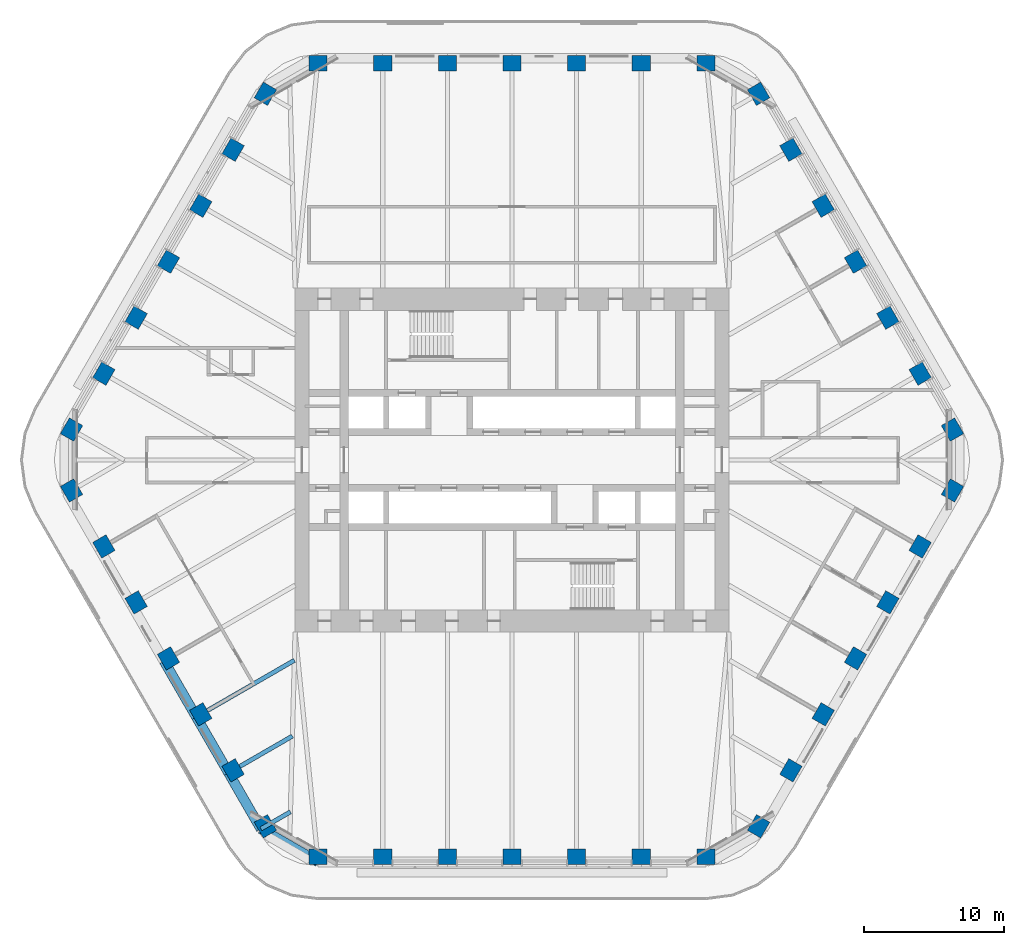
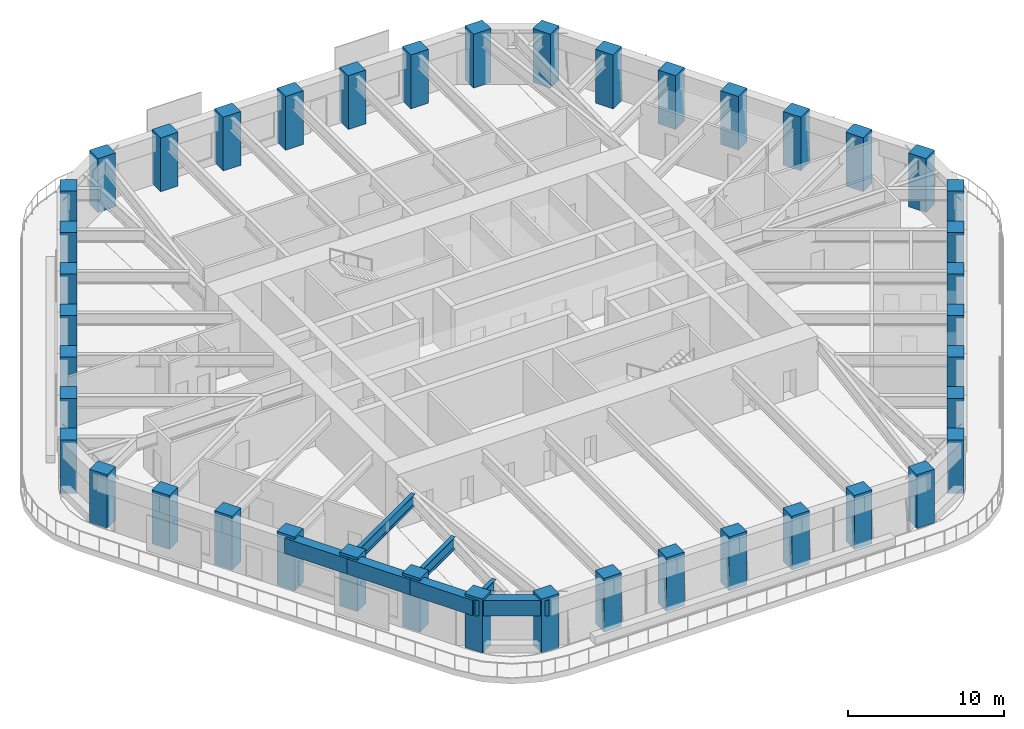
# One storey, part 1 of 20: 42 columns, 7 beams.
"""IFC4 building model written with IfcOpenShell, lengths in metres."""

from ifc_helpers import new_model, si_unit, direction, frame, origin, origin_2d, place, context, subcontext, project, spatial, rectangle, i_section, extrude, material, material_profile, profile_set, type_object, element, save


model = new_model("IFC4")

# Units and contexts
model_context = context("Model", 3, precision=1e-05, world=origin(), true_north=direction((0.0, 1.0)))
body_context = subcontext(model_context, "Body", "Model", "MODEL_VIEW")
ifc_project = project(units=[si_unit("LENGTHUNIT", "METRE"), si_unit("AREAUNIT", "SQUARE_METRE"), si_unit("VOLUMEUNIT", "CUBIC_METRE"), si_unit("PLANEANGLEUNIT", "RADIAN"), si_unit("MASSUNIT", "GRAM", prefix="KILO")], contexts=[model_context])

# Site, building, storey
site_placement = place(None, origin())
site = spatial("IfcSite", under=ifc_project, at=site_placement, CompositionType="ELEMENT")
building_placement = place(site_placement, origin())
building = spatial("IfcBuilding", under=site, at=building_placement, Name="Tarfa Lantern Tower", CompositionType="ELEMENT")
storey_placement = place(building_placement, frame((0.0, 0.0, 244.89990234375)))
storey = spatial("IfcBuildingStorey", under=building, at=storey_placement, Name="L55", CompositionType="ELEMENT", Elevation=244.89990234375)

# Columns
ifc_material_1 = material(Name="Concrete C80/95", Category="concrete")
ifc_material_profile_1 = material_profile(ifc_material_1, rectangle(XDim=1.300048828125, YDim=1.10009765625, at=origin_2d()), Name="RC 1300x1100")
ifc_profile_set_1 = profile_set([ifc_material_profile_1], Name="Concrete C80/95")
column_type = type_object("IfcColumnType", Name="TC10 RC 1300x1100", PredefinedType="COLUMN", material=ifc_profile_set_1)
for number, where, z_axis, x_axis, name in (
    (1, (31.47998046875, 2.175048828125, 0.0), (0.0, 0.0, 1.0), (-0.5, 0.866025403784, 0.0), "Tube column NE0"),
    (2, (29.170654296875, 6.175048828125, 0.0), (0.0, 0.0, 1.0), (-0.5, 0.866025403784, 0.0), "Tube column NE1"),
    (3, (26.861328125, 10.175048828125, 0.0), (0.0, 0.0, 1.0), (-0.5, 0.866025403784, 0.0), "Tube column NE2"),
    (4, (24.5517578125, 14.175048828125, 0.0), (0.0, 0.0, 1.0), (-0.5, 0.866025403784, 0.0), "Tube column NE3"),
    (5, (22.242431640625, 18.175048828125, 0.0), (0.0, 0.0, 1.0), (-0.5, 0.866025403784, 0.0), "Tube column NE4"),
    (6, (19.93310546875, 22.175048828125, 0.0), (0.0, 0.0, 1.0), (-0.5, 0.866025403784, 0.0), "Tube column NE5"),
    (7, (17.62353515625, 26.175048828125, 0.0), (0.0, 0.0, 1.0), (-0.5, 0.866025403784, 0.0), "Tube column NE6"),
    (8, (13.8564453125, 28.35009765625, 0.0), (0.0, 0.0, 1.0), (-1.0, 0.0, 0.0), "Tube column N0"),
    (9, (9.237548828125, 28.35009765625, 0.0), (0.0, 0.0, 1.0), (-1.0, 0.0, 0.0), "Tube column N1"),
    (10, (4.618896484375, 28.35009765625, 0.0), (0.0, 0.0, 1.0), (-1.0, 0.0, 0.0), "Tube column N2"),
    (11, (0.0, 28.35009765625, 0.0), (0.0, 0.0, 1.0), (-1.0, 0.0, 0.0), "Tube column N3"),
    (12, (-4.618896484375, 28.35009765625, 0.0), (0.0, 0.0, 1.0), (-1.0, 0.0, 0.0), "Tube column N4"),
    (13, (-9.237548828125, 28.35009765625, 0.0), (0.0, 0.0, 1.0), (-1.0, 0.0, 0.0), "Tube column N5"),
    (14, (-13.8564453125, 28.35009765625, 0.0), (0.0, 0.0, 1.0), (-1.0, 0.0, 0.0), "Tube column N6"),
    (15, (-17.62353515625, 26.175048828125, 0.0), (0.0, 0.0, 1.0), (-0.5, -0.866025403784, 0.0), "Tube column NW0"),
    (16, (-19.93310546875, 22.175048828125, 0.0), (0.0, 0.0, 1.0), (-0.5, -0.866025403784, 0.0), "Tube column NW1"),
    (17, (-22.242431640625, 18.175048828125, 0.0), (0.0, 0.0, 1.0), (-0.5, -0.866025403784, 0.0), "Tube column NW2"),
    (18, (-24.5517578125, 14.175048828125, 0.0), (0.0, 0.0, 1.0), (-0.5, -0.866025403784, 0.0), "Tube column NW3"),
    (19, (-26.861328125, 10.175048828125, 0.0), (0.0, 0.0, 1.0), (-0.5, -0.866025403784, 0.0), "Tube column NW4"),
    (20, (-29.170654296875, 6.175048828125, 0.0), (0.0, 0.0, 1.0), (-0.5, -0.866025403784, 0.0), "Tube column NW5"),
    (21, (-31.47998046875, 2.175048828125, 0.0), (0.0, 0.0, 1.0), (-0.5, -0.866025403784, 0.0), "Tube column NW6"),
    (22, (-31.47998046875, -2.175048828125, 0.0), (0.0, 0.0, 1.0), (0.5, -0.866025403784, 0.0), "Tube column SW0"),
    (23, (-29.170654296875, -6.175048828125, 0.0), (0.0, 0.0, 1.0), (0.5, -0.866025403784, 0.0), "Tube column SW1"),
    (24, (-26.861328125, -10.175048828125, 0.0), (0.0, 0.0, 1.0), (0.5, -0.866025403784, 0.0), "Tube column SW2"),
    (25, (-24.5517578125, -14.175048828125, 0.0), (0.0, 0.0, 1.0), (0.5, -0.866025403784, 0.0), "Tube column SW3"),
    (26, (-22.242431640625, -18.175048828125, 0.0), (0.0, 0.0, 1.0), (0.5, -0.866025403784, 0.0), "Tube column SW4"),
    (27, (-19.93310546875, -22.175048828125, 0.0), (0.0, 0.0, 1.0), (0.5, -0.866025403784, 0.0), "Tube column SW5"),
    (28, (-17.62353515625, -26.175048828125, 0.0), (0.0, 0.0, 1.0), (0.5, -0.866025403784, 0.0), "Tube column SW6"),
    (29, (-13.8564453125, -28.35009765625, 0.0), (0.0, 0.0, 1.0), (1.0, 0.0, 0.0), "Tube column S0"),
    (30, (-9.237548828125, -28.35009765625, 0.0), (0.0, 0.0, 1.0), (1.0, 0.0, 0.0), "Tube column S1"),
    (31, (-4.618896484375, -28.35009765625, 0.0), (0.0, 0.0, 1.0), (1.0, 0.0, 0.0), "Tube column S2"),
    (32, (0.0, -28.35009765625, 0.0), (0.0, 0.0, 1.0), (1.0, 0.0, 0.0), "Tube column S3"),
    (33, (4.618896484375, -28.35009765625, 0.0), (0.0, 0.0, 1.0), (1.0, 0.0, 0.0), "Tube column S4"),
    (34, (9.237548828125, -28.35009765625, 0.0), (0.0, 0.0, 1.0), (1.0, 0.0, 0.0), "Tube column S5"),
    (35, (13.8564453125, -28.35009765625, 0.0), (0.0, 0.0, 1.0), (1.0, 0.0, 0.0), "Tube column S6"),
    (36, (17.62353515625, -26.175048828125, 0.0), (0.0, 0.0, 1.0), (0.5, 0.866025403784, 0.0), "Tube column SE0"),
    (37, (19.93310546875, -22.175048828125, 0.0), (0.0, 0.0, 1.0), (0.5, 0.866025403784, 0.0), "Tube column SE1"),
    (38, (22.242431640625, -18.175048828125, 0.0), (0.0, 0.0, 1.0), (0.5, 0.866025403784, 0.0), "Tube column SE2"),
    (39, (24.5517578125, -14.175048828125, 0.0), (0.0, 0.0, 1.0), (0.5, 0.866025403784, 0.0), "Tube column SE3"),
    (40, (26.861328125, -10.175048828125, 0.0), (0.0, 0.0, 1.0), (0.5, 0.866025403784, 0.0), "Tube column SE4"),
    (41, (29.170654296875, -6.175048828125, 0.0), (0.0, 0.0, 1.0), (0.5, 0.866025403784, 0.0), "Tube column SE5"),
    (42, (31.47998046875, -2.175048828125, 0.0), (0.0, 0.0, 1.0), (0.5, 0.866025403784, 0.0), "Tube column SE6"),
):
    element("IfcColumn", number, at=place(storey_placement, frame(where, z_axis=z_axis, x_axis=x_axis)), inside=storey, type_object=column_type, Name=name, PredefinedType="COLUMN", context=body_context, shape_type="SweptSolid", body=[
        extrude(rectangle(XDim=1.300048828125, YDim=1.10009765625, at=origin_2d()), origin(), (0.0, 0.0, 1.0), 4.2001953125),
    ])

# Beams
ifc_material_profile_2 = material_profile(ifc_material_1, rectangle(XDim=0.699951171875, YDim=1.199951171875, at=origin_2d()), Name="RC 700x1200")
ifc_profile_set_2 = profile_set([ifc_material_profile_2], Name="Concrete C80/95")
beam_type_1 = type_object("IfcBeamType", Name="EB3 RC 700x1200", PredefinedType="SPANDREL", material=ifc_profile_set_2)
beam_1_placement = place(storey_placement, frame((-24.872314453125, -14.360107421875, 3.400146484375), z_axis=(0.500027479704, -0.866009537788, 0.0), x_axis=(0.866009537788, 0.500027479704, 0.0)))
element("IfcBeam", 43, at=beam_1_placement, inside=storey, type_object=beam_type_1, Name="Edge beam SW3", PredefinedType="SPANDREL", context=body_context, shape_type="SweptSolid", body=[
    extrude(rectangle(XDim=0.699951171875, YDim=1.199951171875, at=origin_2d()), origin(), (0.0, 0.0, 1.0), 4.618896484375),
])
for number, where, z_axis, x_axis, name in (
    (44, (-22.562744140625, -18.360107421875, 3.400146484375), (0.499987836815, -0.866032426089, 0.0), (0.866032426089, 0.499987836815, 0.0), "Edge beam SW4"),
    (45, (-20.25341796875, -22.360107421875, 3.400146484375), (0.499987836815, -0.866032426089, 0.0), (0.866032426089, 0.499987836815, 0.0), "Edge beam SW5"),
):
    element("IfcBeam", number, at=place(storey_placement, frame(where, z_axis=z_axis, x_axis=x_axis)), inside=storey, type_object=beam_type_1, Name=name, PredefinedType="SPANDREL", context=body_context, shape_type="SweptSolid", body=[
        extrude(rectangle(XDim=0.699951171875, YDim=1.199951171875, at=origin_2d()), origin(), (0.0, 0.0, 1.0), 4.61865234375),
    ])
beam_2_placement = place(storey_placement, frame((-17.944091796875, -26.360107421875, 3.400146484375), z_axis=(0.866038294681, -0.499977671647, 0.0), x_axis=(0.499977671647, 0.866038294681, 0.0)))
element("IfcBeam", 46, at=beam_2_placement, inside=storey, type_object=beam_type_1, Name="Edge beam SW6", PredefinedType="SPANDREL", context=body_context, shape_type="SweptSolid", body=[
    extrude(rectangle(XDim=0.699951171875, YDim=1.199951171875, at=origin_2d()), origin(), (0.0, 0.0, 1.0), 4.719970703125),
])
ifc_material_2 = material(Name="Steel S460M", Category="steel")
ifc_material_profile_3 = material_profile(ifc_material_2, i_section(OverallWidth=0.305419921875, OverallDepth=0.91845703125, WebThickness=0.017333984375, FlangeThickness=0.02783203125, FilletRadius=0.01904296875, at=origin_2d()), Name="UB914x305x253")
ifc_profile_set_3 = profile_set([ifc_material_profile_3], Name="Steel S460M")
beam_type_2 = type_object("IfcBeamType", Name="UB914x305x253", PredefinedType="BEAM", material=ifc_profile_set_3)
beam_3_placement = place(storey_placement, frame((-22.562744140625, -18.360107421875, 3.541015625), z_axis=(0.866010787764, 0.500025314835, 0.0), x_axis=(-0.500025314835, 0.866010787764, 0.0)))
element("IfcBeam", 47, at=beam_3_placement, inside=storey, type_object=beam_type_2, Name="Floor beam SW4", PredefinedType="BEAM", context=body_context, shape_type="SweptSolid", body=[
    extrude(i_section(OverallWidth=0.305419921875, OverallDepth=0.91845703125, WebThickness=0.017333984375, FlangeThickness=0.02783203125, FilletRadius=0.01904296875, at=origin_2d()), origin(), (0.0, 0.0, 1.0), 8.09423828125),
])
beam_4_placement = place(storey_placement, frame((-20.25341796875, -22.360107421875, 3.541015625), z_axis=(0.86601951648, 0.500010196972, 0.0), x_axis=(-0.500010196972, 0.86601951648, 0.0)))
element("IfcBeam", 48, at=beam_4_placement, inside=storey, type_object=beam_type_2, Name="Floor beam SW5", PredefinedType="BEAM", context=body_context, shape_type="SweptSolid", body=[
    extrude(i_section(OverallWidth=0.305419921875, OverallDepth=0.91845703125, WebThickness=0.017333984375, FlangeThickness=0.02783203125, FilletRadius=0.01904296875, at=origin_2d()), origin(), (0.0, 0.0, 1.0), 5.263671875),
])
beam_5_placement = place(storey_placement, frame((-17.944091796875, -26.360107421875, 3.541015625), z_axis=(0.865980009423, 0.5000786171, 0.0), x_axis=(-0.5000786171, 0.865980009423, 0.0)))
element("IfcBeam", 49, at=beam_5_placement, inside=storey, type_object=beam_type_2, Name="Floor beam SW6", PredefinedType="BEAM", context=body_context, shape_type="SweptSolid", body=[
    extrude(i_section(OverallWidth=0.305419921875, OverallDepth=0.91845703125, WebThickness=0.017333984375, FlangeThickness=0.02783203125, FilletRadius=0.01904296875, at=origin_2d()), origin(), (0.0, 0.0, 1.0), 2.4326171875),
])

save(model, "model.ifc")
